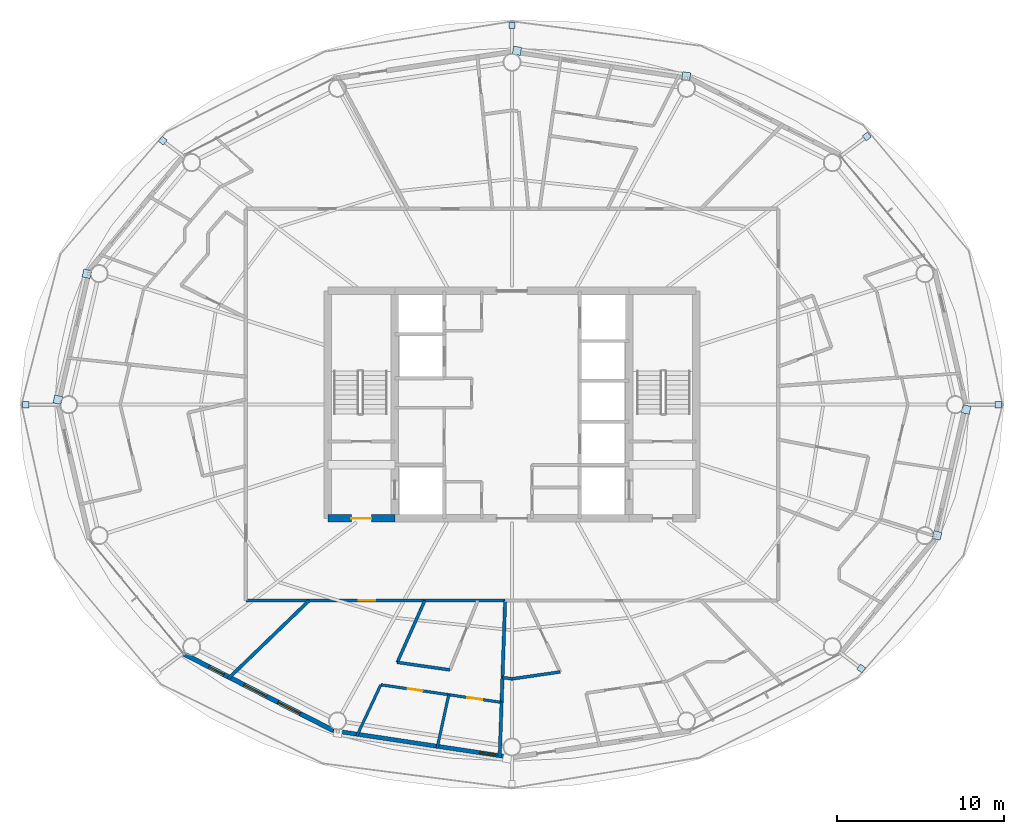
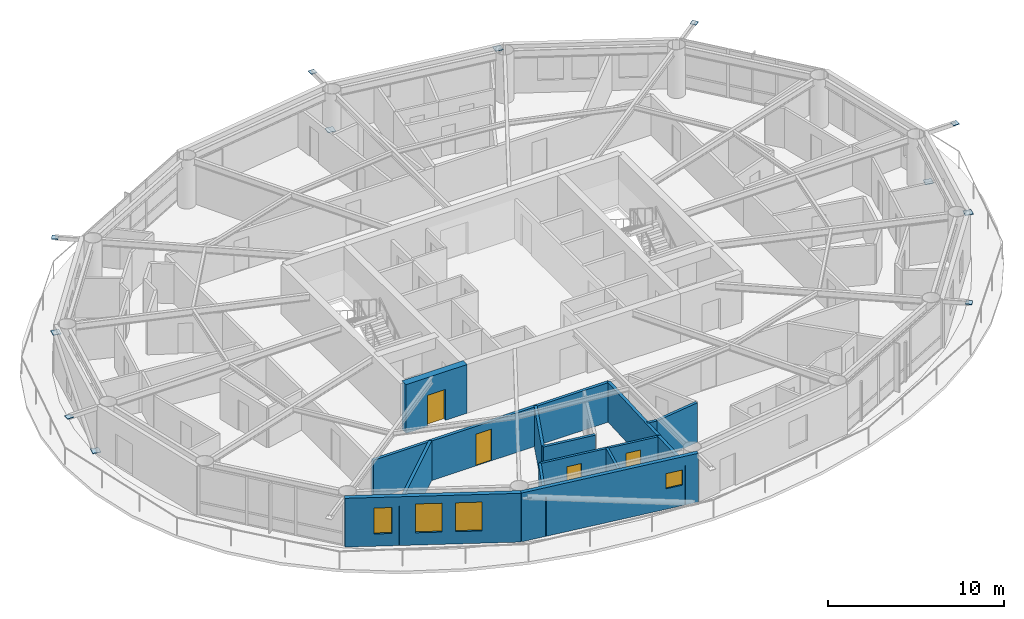
# One storey, part 19 of 27: 14 walls, 12 plates, 4 doors, 4 windows, 8 openings.
"""IFC4 building model written with IfcOpenShell, lengths in metres."""

from ifc_helpers import new_model, si_unit, direction, frame, frame_2d, origin, origin_2d, place, context, subcontext, project, spatial, rectangle, extrude, material, layer, layer_set, type_object, element, fill, save


model = new_model("IFC4")

# Units and contexts
model_context = context("Model", 3, precision=1e-05, world=origin(), true_north=direction((0.0, 1.0)))
body_context = subcontext(model_context, "Body", "Model", "MODEL_VIEW")
ifc_project = project(units=[si_unit("LENGTHUNIT", "METRE"), si_unit("AREAUNIT", "SQUARE_METRE"), si_unit("VOLUMEUNIT", "CUBIC_METRE"), si_unit("PLANEANGLEUNIT", "RADIAN"), si_unit("MASSUNIT", "GRAM", prefix="KILO")], contexts=[model_context])

# Site, building, storey
site_placement = place(None, origin())
site = spatial("IfcSite", under=ifc_project, at=site_placement, CompositionType="ELEMENT")
building_placement = place(site_placement, origin())
building = spatial("IfcBuilding", under=site, at=building_placement, Name="Sarneth Arch Tower", CompositionType="ELEMENT")
storey_placement = place(building_placement, frame((0.0, 0.0, 157.800048828125)))
storey = spatial("IfcBuildingStorey", under=building, at=storey_placement, Name="L39", CompositionType="ELEMENT", Elevation=157.800048828125)

# Plates
ifc_material_1 = material(Name="Steel S355", Category="steel")
ifc_layer_1 = layer(ifc_material_1, 0.035888671875)
ifc_layer_set_1 = layer_set([ifc_layer_1], Name="Steel S355")
plate_type = type_object("IfcPlateType", Name="PLT-GUSSET-30", PredefinedType="SHEET", material=ifc_layer_set_1)
for number, where, z_axis, x_axis, name in (
    (1, (77.038818359375, 42.0, 3.2021484375), (0.0, 0.0, 1.0), (1.0, 0.0, 0.0), "Steel end cap plate GP-1"),
    (2, (69.196533203125, 58.019287109375, 3.2021484375), (0.0, 0.0, 1.0), (0.797794439539, 0.602929541689, 0.0), "Steel end cap plate GP-1"),
):
    element("IfcPlate", number, at=place(storey_placement, frame(where, z_axis=z_axis, x_axis=x_axis)), inside=storey, type_object=plate_type, Name=name, PredefinedType="SHEET", context=body_context, shape_type="SweptSolid", body=[
        extrude(rectangle(XDim=0.3798828125, YDim=0.3798828125, at=origin_2d()), origin(), (0.0, 0.0, 1.0), 0.035888671875),
    ])
for number, where, z_axis, x_axis, name in (
    (3, (48.296630859375, 63.13525390625, 0.001953125), (0.0, 0.0, 1.0), (-0.98883454203, 0.149017611339, 0.0), "Steel end cap plate GP-1"),
    (4, (58.404296875, 61.612548828125, 3.03271484375), (0.0, 0.0, 1.0), (-0.98883454203, 0.149017611339, 0.0), "Steel end cap plate GP-1"),
):
    element("IfcPlate", number, at=place(storey_placement, frame(where, z_axis=z_axis, x_axis=x_axis)), inside=storey, type_object=plate_type, Name=name, PredefinedType="SHEET", context=body_context, shape_type="SweptSolid", body=[
        extrude(rectangle(XDim=0.486083984375, YDim=0.486083984375, at=origin_2d()), origin(), (0.0, 0.0, 1.0), 0.035888671875),
    ])
for number, where, z_axis, x_axis, name in (
    (5, (48.0, 64.648193359375, 3.2021484375), (0.0, 0.0, 1.0), (0.0, 1.0, 0.0), "Steel end cap plate GP-1"),
    (6, (27.1396484375, 57.765380859375, 3.2021484375), (0.0, 0.0, 1.0), (-0.797794439539, 0.602929541689, 0.0), "Steel end cap plate GP-1"),
):
    element("IfcPlate", number, at=place(storey_placement, frame(where, z_axis=z_axis, x_axis=x_axis)), inside=storey, type_object=plate_type, Name=name, PredefinedType="SHEET", context=body_context, shape_type="SweptSolid", body=[
        extrude(rectangle(XDim=0.3798828125, YDim=0.3798828125, at=origin_2d()), origin(), (0.0, 0.0, 1.0), 0.035888671875),
    ])
for number, where, z_axis, x_axis, name in (
    (7, (20.87109375, 42.292236328125, 0.001953125), (0.0, 0.0, 1.0), (-0.225291159947, -0.974291482694, 0.0), "Steel end cap plate GP-1"),
    (8, (22.609619140625, 49.81298828125, 3.03271484375), (0.0, 0.0, 1.0), (-0.225291159947, -0.974291482694, 0.0), "Steel end cap plate GP-1"),
):
    element("IfcPlate", number, at=place(storey_placement, frame(where, z_axis=z_axis, x_axis=x_axis)), inside=storey, type_object=plate_type, Name=name, PredefinedType="SHEET", context=body_context, shape_type="SweptSolid", body=[
        extrude(rectangle(XDim=0.486083984375, YDim=0.486083984375, at=origin_2d()), origin(), (0.0, 0.0, 1.0), 0.035888671875),
    ])
for number, where, z_axis, x_axis, name in (
    (9, (18.961181640625, 42.0, 3.2021484375), (0.0, 0.0, 1.0), (-1.0, 0.0, 0.0), "Steel end cap plate GP-1"),
    (10, (68.8603515625, 26.234619140625, 3.2021484375), (0.0, 0.0, 1.0), (0.797794439539, -0.602929541689, 0.0), "Steel end cap plate GP-1"),
):
    element("IfcPlate", number, at=place(storey_placement, frame(where, z_axis=z_axis, x_axis=x_axis)), inside=storey, type_object=plate_type, Name=name, PredefinedType="SHEET", context=body_context, shape_type="SweptSolid", body=[
        extrude(rectangle(XDim=0.3798828125, YDim=0.3798828125, at=origin_2d()), origin(), (0.0, 0.0, 1.0), 0.035888671875),
    ])
for number, where, z_axis, x_axis, name in (
    (11, (75.12890625, 41.707763671875, 0.001953125), (0.0, 0.0, 1.0), (0.225291159947, 0.974291482694, 0.0), "Steel end cap plate GP-1"),
    (12, (73.390380859375, 34.18701171875, 3.03271484375), (0.0, 0.0, 1.0), (0.225291159947, 0.974291482694, 0.0), "Steel end cap plate GP-1"),
):
    element("IfcPlate", number, at=place(storey_placement, frame(where, z_axis=z_axis, x_axis=x_axis)), inside=storey, type_object=plate_type, Name=name, PredefinedType="SHEET", context=body_context, shape_type="SweptSolid", body=[
        extrude(rectangle(XDim=0.486083984375, YDim=0.486083984375, at=origin_2d()), origin(), (0.0, 0.0, 1.0), 0.035888671875),
    ])

# Wall, opening, door
ifc_material_2 = material(Name="Concrete C50/60", Category="concrete")
ifc_layer_2 = layer(ifc_material_2, 0.449951171875)
ifc_layer_set_2 = layer_set([ifc_layer_2], Name="Concrete C50/60")
wall_type_1 = type_object("IfcWallType", Name="WALL-CORE-450", PredefinedType="SHEAR", material=ifc_layer_set_2)
wall_1_placement = place(storey_placement, frame((37.0, 35.199951171875, 0.0), z_axis=(0.0, 0.0, 1.0), x_axis=(1.0, 0.0, 0.0)))
wall_1 = element("IfcWall", 13, at=wall_1_placement, inside=storey, type_object=wall_type_1, Name="L39 Core shear wall S-W", PredefinedType="SHEAR", context=body_context, shape_type="SweptSolid", body=[
    extrude(rectangle(XDim=4.0, YDim=0.449951171875, at=frame_2d((2.0, 0.0))), origin(), (0.0, 0.0, 1.0), 3.3798828125),
])
opening_1_placement = place(wall_1_placement, frame((1.39990234375, 0.0, 0.0)))
opening_1 = element("IfcOpeningElement", 14, at=opening_1_placement, cuts=wall_1, Name="Opening FD-02", PredefinedType="OPENING", context=body_context, shape_type="SweptSolid", body=[
    extrude(rectangle(XDim=1.199951171875, YDim=2.14990234375, at=frame_2d((0.60009765625, 1.074951171875))), frame((0.0, 0.23486328125, 0.0), z_axis=(0.0, -1.0, 0.0), x_axis=(1.0, 0.0, 0.0)), (0.0, 0.0, 1.0), 0.469970703125),
])
ifc_material_3 = material(Name="Galvanised Steel S275 fire door set", Category="steel")
door_type_1 = type_object("IfcDoorType", Name="DR-FD90-1200", OperationType="SINGLE_SWING_LEFT", PredefinedType="DOOR", material=ifc_material_3)
door_1_placement = place(opening_1_placement, origin())
door_1 = element("IfcDoor", 15, at=door_1_placement, inside=storey, type_object=door_type_1, Name="L39 Firefighting lobby 1 exit door", OperationType="SINGLE_SWING_LEFT", OverallHeight=2.14990234375, OverallWidth=1.199951171875, PredefinedType="DOOR", context=body_context, shape_type="SweptSolid", body=[
    extrude(rectangle(XDim=1.199951171875, YDim=2.14990234375, at=frame_2d((0.60009765625, 1.074951171875))), frame((0.0, 0.02490234375, 0.0), z_axis=(0.0, -1.0, 0.0), x_axis=(1.0, 0.0, 0.0)), (0.0, 0.0, 1.0), 0.050048828125),
])
fill(opening_1, door_1)

ifc_material_4 = material(Name="Double steel-stud corridor fire wall", Category="steel")
ifc_layer_3 = layer(ifc_material_4, 0.18994140625)
ifc_layer_set_3 = layer_set([ifc_layer_3], Name="Double steel-stud corridor fire wall")
wall_type_2 = type_object("IfcWallType", Name="WALL-CORR-190", PredefinedType="PARTITIONING", material=ifc_layer_set_3)
wall_2_placement = place(storey_placement, frame((32.10009765625, 30.300048828125, 0.0), z_axis=(0.0, 0.0, 1.0), x_axis=(1.0, 0.0, 0.0)))
wall_2 = element("IfcWall", 16, at=wall_2_placement, inside=storey, type_object=wall_type_2, Name="L39 Interior partition W-L39-TP-018", PredefinedType="PARTITIONING", context=body_context, shape_type="SweptSolid", body=[
    extrude(rectangle(XDim=15.4912109375, YDim=0.18994140625, at=frame_2d((7.74560546875, 0.0))), origin(), (0.0, 0.0, 1.0), 2.739990234375),
])
opening_2_placement = place(wall_2_placement, frame((6.737548828125, 0.0, 0.0)))
opening_2 = element("IfcOpeningElement", 17, at=opening_2_placement, cuts=wall_2, Name="Opening FD-08", PredefinedType="OPENING", context=body_context, shape_type="SweptSolid", body=[
    extrude(rectangle(XDim=1.0, YDim=2.199951171875, at=frame_2d((0.5, 1.10009765625))), frame((0.0, 0.10498046875, 0.0), z_axis=(0.0, -1.0, 0.0), x_axis=(1.0, 0.0, 0.0)), (0.0, 0.0, 1.0), 0.2099609375),
])
ifc_material_5 = material(Name="Hardwood timber acoustic fire door", Category="wood")
door_type_2 = type_object("IfcDoorType", Name="DR-FD60-1000", OperationType="SINGLE_SWING_LEFT", PredefinedType="DOOR", material=ifc_material_5)
door_2_placement = place(opening_2_placement, origin())
door_2 = element("IfcDoor", 18, at=door_2_placement, inside=storey, type_object=door_type_2, Name="L39 Interior door DR-L39-U6-ENT", OperationType="SINGLE_SWING_RIGHT", OverallHeight=2.199951171875, OverallWidth=1.0, PredefinedType="DOOR", context=body_context, shape_type="SweptSolid", body=[
    extrude(rectangle(XDim=1.0, YDim=2.199951171875, at=frame_2d((0.5, 1.10009765625))), frame((0.0, 0.02490234375, 0.0), z_axis=(0.0, -1.0, 0.0), x_axis=(1.0, 0.0, 0.0)), (0.0, 0.0, 1.0), 0.050048828125),
])
fill(opening_2, door_2)

# Wall, opening, window
ifc_material_6 = material(Name="Extruded terracotta rainscreen on Concrete C40/50 backing", Category="masonry")
ifc_layer_4 = layer(ifc_material_6, 0.25)
ifc_layer_set_4 = layer_set([ifc_layer_4], Name="Extruded terracotta rainscreen on Concrete C40/50 backing")
wall_type_3 = type_object("IfcWallType", Name="WALL-EXT-SPAND-250", PredefinedType="SOLIDWALL", material=ifc_layer_set_4)
wall_3_placement = place(storey_placement, frame((37.337158203125, 22.524658203125, 0.0), z_axis=(0.0, 0.0, 1.0), x_axis=(0.988863993413, -0.148822049884, 0.0)))
wall_3 = element("IfcWall", 19, at=wall_3_placement, inside=storey, type_object=wall_type_3, Name="L39 Terracotta perimeter wall 12", PredefinedType="SOLIDWALL", context=body_context, shape_type="SweptSolid", body=[
    extrude(rectangle(XDim=10.782958984375, YDim=0.25, at=frame_2d((5.3916015625, 0.0))), origin(), (0.0, 0.0, 1.0), 3.3798828125),
])
opening_3_placement = place(wall_3_placement, frame((8.809326171875, 0.0, 1.419921875)))
opening_3 = element("IfcOpeningElement", 20, at=opening_3_placement, cuts=wall_3, Name="Opening W-14", PredefinedType="OPENING", context=body_context, shape_type="SweptSolid", body=[
    extrude(rectangle(XDim=1.0, YDim=1.050048828125, at=frame_2d((0.5, 0.52490234375))), frame((0.0, 0.135009765625, 0.0), z_axis=(0.0, -1.0, 0.0), x_axis=(1.0, 0.0, 0.0)), (0.0, 0.0, 1.0), 0.27001953125),
])
ifc_material_7 = material(Name="Thermally broken Aluminium 6063-T6 and low-e laminated IGU", Category="aluminium")
window_type_1 = type_object("IfcWindowType", Name="WIN-TWR-1000x1050", PartitioningType="SINGLE_PANEL", PredefinedType="WINDOW", material=ifc_material_7)
window_1_placement = place(opening_3_placement, origin())
window_1 = element("IfcWindow", 21, at=window_1_placement, inside=storey, type_object=window_type_1, Name="L39 Dwelling bedroom window 03", OverallHeight=1.050048828125, OverallWidth=1.0, PartitioningType="SINGLE_PANEL", PredefinedType="WINDOW", context=body_context, shape_type="SweptSolid", body=[
    extrude(rectangle(XDim=1.0, YDim=1.050048828125, at=frame_2d((0.5, 0.52490234375))), frame((0.0, 0.030029296875, 0.0), z_axis=(0.0, -1.0, 0.0), x_axis=(1.0, 0.0, 0.0)), (0.0, 0.0, 1.0), 0.06005859375),
])
fill(opening_3, window_1)

# Wall, openings, windows
ifc_material_8 = material(Name="Extruded terracotta rainscreen on Concrete C40/50 backing", Category="masonry")
ifc_layer_5 = layer(ifc_material_8, 0.280029296875)
ifc_layer_set_5 = layer_set([ifc_layer_5], Name="Extruded terracotta rainscreen on Concrete C40/50 backing")
wall_type_4 = type_object("IfcWallType", Name="WALL-EXT-TERRA-280", PredefinedType="SOLIDWALL", material=ifc_layer_set_5)
wall_4_placement = place(storey_placement, frame((28.423828125, 27.09423828125, 0.0), z_axis=(0.0, 0.0, 1.0), x_axis=(0.889872523182, -0.456209263919, 0.0)))
wall_4 = element("IfcWall", 22, at=wall_4_placement, inside=storey, type_object=wall_type_4, Name="L39 Terracotta perimeter wall 11", PredefinedType="SOLIDWALL", context=body_context, shape_type="SweptSolid", body=[
    extrude(rectangle(XDim=10.016357421875, YDim=0.280029296875, at=frame_2d((5.00830078125, 0.0))), origin(), (0.0, 0.0, 1.0), 3.3798828125),
])
opening_4_placement = place(wall_4_placement, frame((1.67041015625, 0.0, 0.85009765625)))
opening_4 = element("IfcOpeningElement", 23, at=opening_4_placement, cuts=wall_4, Name="Opening W-11", PredefinedType="OPENING", context=body_context, shape_type="SweptSolid", body=[
    extrude(rectangle(XDim=1.0, YDim=1.800048828125, at=frame_2d((0.5, 0.89990234375))), frame((0.0, 0.14990234375, 0.0), z_axis=(0.0, -1.0, 0.0), x_axis=(1.0, 0.0, 0.0)), (0.0, 0.0, 1.0), 0.300048828125),
])
opening_5_placement = place(wall_4_placement, frame((4.022216796875, 0.0, 0.85009765625)))
opening_5 = element("IfcOpeningElement", 24, at=opening_5_placement, cuts=wall_4, Name="Opening W-06", PredefinedType="OPENING", context=body_context, shape_type="SweptSolid", body=[
    extrude(rectangle(XDim=1.5, YDim=2.0, at=frame_2d((0.75, 1.0))), frame((0.0, 0.14990234375, 0.0), z_axis=(0.0, -1.0, 0.0), x_axis=(1.0, 0.0, 0.0)), (0.0, 0.0, 1.0), 0.300048828125),
])
opening_6_placement = place(wall_4_placement, frame((6.293701171875, 0.0, 0.85009765625)))
opening_6 = element("IfcOpeningElement", 25, at=opening_6_placement, cuts=wall_4, Name="Opening W-06", PredefinedType="OPENING", context=body_context, shape_type="SweptSolid", body=[
    extrude(rectangle(XDim=1.5, YDim=2.0, at=frame_2d((0.75, 1.0))), frame((0.0, 0.14990234375, 0.0), z_axis=(0.0, -1.0, 0.0), x_axis=(1.0, 0.0, 0.0)), (0.0, 0.0, 1.0), 0.300048828125),
])
ifc_material_9 = material(Name="Thermally broken Aluminium 6063-T6 and low-e laminated IGU", Category="aluminium")
window_type_2 = type_object("IfcWindowType", Name="WIN-TWR-1000x1800", PartitioningType="SINGLE_PANEL", PredefinedType="WINDOW", material=ifc_material_9)
window_2_placement = place(opening_4_placement, origin())
window_2 = element("IfcWindow", 26, at=window_2_placement, inside=storey, type_object=window_type_2, Name="L39 Exterior window 11A", OverallHeight=1.800048828125, OverallWidth=1.0, PartitioningType="SINGLE_PANEL", PredefinedType="WINDOW", context=body_context, shape_type="SweptSolid", body=[
    extrude(rectangle(XDim=1.0, YDim=1.800048828125, at=frame_2d((0.5, 0.89990234375))), frame((0.0, 0.030029296875, 0.0), z_axis=(0.0, -1.0, 0.0), x_axis=(1.0, 0.0, 0.0)), (0.0, 0.0, 1.0), 0.06005859375),
])
fill(opening_4, window_2)
ifc_material_10 = material(Name="Thermally broken Aluminium 6063-T6 and low-e laminated IGU", Category="aluminium")
window_type_3 = type_object("IfcWindowType", Name="WIN-TWR-1500x2000", PartitioningType="SINGLE_PANEL", PredefinedType="WINDOW", material=ifc_material_10)
window_3_placement = place(opening_5_placement, origin())
window_3 = element("IfcWindow", 27, at=window_3_placement, inside=storey, type_object=window_type_3, Name="L39 Exterior window 11B", OverallHeight=2.0, OverallWidth=1.5, PartitioningType="SINGLE_PANEL", PredefinedType="WINDOW", context=body_context, shape_type="SweptSolid", body=[
    extrude(rectangle(XDim=1.5, YDim=2.0, at=frame_2d((0.75, 1.0))), frame((0.0, 0.030029296875, 0.0), z_axis=(0.0, -1.0, 0.0), x_axis=(1.0, 0.0, 0.0)), (0.0, 0.0, 1.0), 0.06005859375),
])
fill(opening_5, window_3)
window_4_placement = place(opening_6_placement, origin())
window_4 = element("IfcWindow", 28, at=window_4_placement, inside=storey, type_object=window_type_3, Name="L39 Exterior window 11C", OverallHeight=2.0, OverallWidth=1.5, PartitioningType="SINGLE_PANEL", PredefinedType="WINDOW", context=body_context, shape_type="SweptSolid", body=[
    extrude(rectangle(XDim=1.5, YDim=2.0, at=frame_2d((0.75, 1.0))), frame((0.0, 0.030029296875, 0.0), z_axis=(0.0, -1.0, 0.0), x_axis=(1.0, 0.0, 0.0)), (0.0, 0.0, 1.0), 0.06005859375),
])
fill(opening_6, window_4)

# Wall, openings, doors
ifc_material_11 = material(Name="Kitchen wet service chase wall", Category="gypsum")
ifc_layer_6 = layer(ifc_material_11, 0.159912109375)
ifc_layer_set_6 = layer_set([ifc_layer_6], Name="Kitchen wet service chase wall")
wall_type_5 = type_object("IfcWallType", Name="WALL-PLUMB-160", PredefinedType="PLUMBINGWALL", material=ifc_layer_set_6)
wall_5_placement = place(storey_placement, frame((47.37890625, 24.2109375, 0.0), z_axis=(0.0, 0.0, 1.0), x_axis=(-0.989473930598, 0.144711231999, 0.0)))
wall_5 = element("IfcWall", 29, at=wall_5_placement, inside=storey, type_object=wall_type_5, Name="L39 Interior partition W-L39-TP-077", PredefinedType="PLUMBINGWALL", context=body_context, shape_type="SweptSolid", body=[
    extrude(rectangle(XDim=7.29150390625, YDim=0.159912109375, at=frame_2d((3.645751953125, 0.0))), origin(), (0.0, 0.0, 1.0), 2.739990234375),
])
opening_7_placement = place(wall_5_placement, frame((4.7744140625, 0.0, 0.0)))
opening_7 = element("IfcOpeningElement", 30, at=opening_7_placement, cuts=wall_5, Name="Opening ID-01", PredefinedType="OPENING", context=body_context, shape_type="SweptSolid", body=[
    extrude(rectangle(XDim=0.89990234375, YDim=2.10009765625, at=frame_2d((0.449951171875, 1.050048828125))), frame((0.0, 0.08984375, 0.0), z_axis=(0.0, -1.0, 0.0), x_axis=(1.0, 0.0, 0.0)), (0.0, 0.0, 1.0), 0.179931640625),
])
opening_8_placement = place(wall_5_placement, frame((1.160888671875, 0.0, 0.0)))
opening_8 = element("IfcOpeningElement", 31, at=opening_8_placement, cuts=wall_5, Name="Opening ID-01", PredefinedType="OPENING", context=body_context, shape_type="SweptSolid", body=[
    extrude(rectangle(XDim=0.89990234375, YDim=2.10009765625, at=frame_2d((0.449951171875, 1.050048828125))), frame((0.0, 0.08984375, 0.0), z_axis=(0.0, -1.0, 0.0), x_axis=(1.0, 0.0, 0.0)), (0.0, 0.0, 1.0), 0.179931640625),
])
ifc_material_12 = material(Name="Engineered hardwood flush door", Category="wood")
door_type_3 = type_object("IfcDoorType", Name="DR-INT-900", OperationType="SINGLE_SWING_LEFT", PredefinedType="DOOR", material=ifc_material_12)
door_3_placement = place(opening_7_placement, origin())
door_3 = element("IfcDoor", 32, at=door_3_placement, inside=storey, type_object=door_type_3, Name="L39 Interior door DR-L39-U6-KIT", OperationType="SINGLE_SWING_LEFT", OverallHeight=2.10009765625, OverallWidth=0.89990234375, PredefinedType="DOOR", context=body_context, shape_type="SweptSolid", body=[
    extrude(rectangle(XDim=0.89990234375, YDim=2.10009765625, at=frame_2d((0.449951171875, 1.050048828125))), frame((0.0, 0.02490234375, 0.0), z_axis=(0.0, -1.0, 0.0), x_axis=(1.0, 0.0, 0.0)), (0.0, 0.0, 1.0), 0.050048828125),
])
fill(opening_7, door_3)
door_4_placement = place(opening_8_placement, origin())
door_4 = element("IfcDoor", 33, at=door_4_placement, inside=storey, type_object=door_type_3, Name="L39 Interior door DR-L39-U6-BED1", OperationType="SINGLE_SWING_RIGHT", OverallHeight=2.10009765625, OverallWidth=0.89990234375, PredefinedType="DOOR", context=body_context, shape_type="SweptSolid", body=[
    extrude(rectangle(XDim=0.89990234375, YDim=2.10009765625, at=frame_2d((0.449951171875, 1.050048828125))), frame((0.0, 0.02490234375, 0.0), z_axis=(0.0, -1.0, 0.0), x_axis=(1.0, 0.0, 0.0)), (0.0, 0.0, 1.0), 0.050048828125),
])
fill(opening_8, door_4)

# Walls
wall_6_placement = place(storey_placement, frame((40.1640625, 25.26611328125, 0.0), z_axis=(0.0, 0.0, 1.0), x_axis=(-0.4240847822, -0.905622491718, 0.0)))
element("IfcWall", 34, at=wall_6_placement, inside=storey, type_object=wall_type_5, Name="L39 Interior partition W-L39-TP-078", PredefinedType="PLUMBINGWALL", context=body_context, shape_type="SweptSolid", body=[
    extrude(rectangle(XDim=3.38671875, YDim=0.159912109375, at=frame_2d((1.693359375, 0.0))), origin(), (0.0, 0.0, 1.0), 2.739990234375),
])
wall_7_placement = place(storey_placement, frame((44.22265625, 24.672607421875, 0.0), z_axis=(0.0, 0.0, 1.0), x_axis=(-0.213029945557, -0.977045670527, 0.0)))
element("IfcWall", 35, at=wall_7_placement, inside=storey, type_object=wall_type_5, Name="L39 Interior partition W-L39-TP-085", PredefinedType="PLUMBINGWALL", context=body_context, shape_type="SweptSolid", body=[
    extrude(rectangle(XDim=3.275390625, YDim=0.159912109375, at=frame_2d((1.6376953125, 0.0))), origin(), (0.0, 0.0, 1.0), 2.739990234375),
])
ifc_material_13 = material(Name="Moisture-resistant plumbing chase wall", Category="gypsum")
ifc_layer_7 = layer(ifc_material_13, 0.179931640625)
ifc_layer_set_7 = layer_set([ifc_layer_7], Name="Moisture-resistant plumbing chase wall")
wall_type_6 = type_object("IfcWallType", Name="WALL-PLUMB-180", PredefinedType="PLUMBINGWALL", material=ifc_layer_set_7)
wall_8_placement = place(storey_placement, frame((42.790771484375, 30.300048828125, 0.0), z_axis=(0.0, 0.0, 1.0), x_axis=(-0.406732062562, -0.913547497005, 0.0)))
element("IfcWall", 36, at=wall_8_placement, inside=storey, type_object=wall_type_6, Name="L39 Interior partition W-L39-TP-079", PredefinedType="PLUMBINGWALL", context=body_context, shape_type="SweptSolid", body=[
    extrude(rectangle(XDim=4.04443359375, YDim=0.179931640625, at=frame_2d((2.022216796875, 0.0))), origin(), (0.0, 0.0, 1.0), 2.739990234375),
])
wall_9_placement = place(storey_placement, frame((41.145751953125, 26.605224609375, 0.0), z_axis=(0.0, 0.0, 1.0), x_axis=(0.989829176861, -0.142261029925, 0.0)))
element("IfcWall", 37, at=wall_9_placement, inside=storey, type_object=wall_type_6, Name="L39 Interior partition W-L39-TP-080", PredefinedType="PLUMBINGWALL", context=body_context, shape_type="SweptSolid", body=[
    extrude(rectangle(XDim=3.1748046875, YDim=0.179931640625, at=frame_2d((1.58740234375, 0.0))), origin(), (0.0, 0.0, 1.0), 2.739990234375),
])
wall_10_placement = place(storey_placement, frame((50.876708984375, 26.033447265625, 0.0), z_axis=(0.0, 0.0, 1.0), x_axis=(-0.989834923367, -0.142221040929, 0.0)))
element("IfcWall", 38, at=wall_10_placement, inside=storey, type_object=wall_type_6, Name="L39 Interior partition W-L39-TP-090", PredefinedType="PLUMBINGWALL", context=body_context, shape_type="SweptSolid", body=[
    extrude(rectangle(XDim=2.90625, YDim=0.179931640625, at=frame_2d((1.453125, 0.0))), origin(), (0.0, 0.0, 1.0), 2.739990234375),
])
wall_11_placement = place(storey_placement, frame((48.0, 25.6201171875, 0.0), z_axis=(0.0, 0.0, 1.0), x_axis=(-0.989830245264, 0.142253595952, 0.0)))
element("IfcWall", 39, at=wall_11_placement, inside=storey, type_object=wall_type_6, Name="L39 Interior partition W-L39-TP-091", PredefinedType="PLUMBINGWALL", context=body_context, shape_type="SweptSolid", body=[
    extrude(rectangle(XDim=0.574951171875, YDim=0.179931640625, at=frame_2d((0.28759765625, 0.0))), origin(), (0.0, 0.0, 1.0), 2.739990234375),
])
ifc_material_14 = material(Name="Double steel-stud acoustic drywall", Category="steel")
ifc_layer_8 = layer(ifc_material_14, 0.199951171875)
ifc_layer_set_8 = layer_set([ifc_layer_8], Name="Double steel-stud acoustic drywall")
wall_type_7 = type_object("IfcWallType", Name="WALL-UNIT-200", PredefinedType="PARTITIONING", material=ifc_layer_set_8)
wall_12_placement = place(storey_placement, frame((31.042236328125, 25.6240234375, 0.0), z_axis=(0.0, 0.0, 1.0), x_axis=(0.719330837604, 0.694667651522, 0.0)))
element("IfcWall", 40, at=wall_12_placement, inside=storey, type_object=wall_type_7, Name="L39 Interior partition W-L39-TP-076", PredefinedType="PARTITIONING", context=body_context, shape_type="SweptSolid", body=[
    extrude(rectangle(XDim=6.731201171875, YDim=0.199951171875, at=frame_2d((3.36572265625, 0.0))), origin(), (0.0, 0.0, 1.0), 2.739990234375),
])
wall_13_placement = place(storey_placement, frame((47.59130859375, 30.300048828125, 0.0), z_axis=(0.0, 0.0, 1.0), x_axis=(-0.034861119634, -0.999392166438, 0.0)))
element("IfcWall", 41, at=wall_13_placement, inside=storey, type_object=wall_type_7, Name="L39 Interior partition W-L39-TP-084", PredefinedType="PARTITIONING", context=body_context, shape_type="SweptSolid", body=[
    extrude(rectangle(XDim=6.0927734375, YDim=0.199951171875, at=frame_2d((3.04638671875, 0.0))), origin(), (0.0, 0.0, 1.0), 2.739990234375),
])
wall_14_placement = place(storey_placement, frame((47.263427734375, 20.910400390625, 0.0), z_axis=(0.0, 0.0, 1.0), x_axis=(0.034921182562, 0.999390069497, 0.0)))
element("IfcWall", 42, at=wall_14_placement, inside=storey, type_object=wall_type_7, Name="L39 Interior partition W-L39-TP-086", PredefinedType="PARTITIONING", context=body_context, shape_type="SweptSolid", body=[
    extrude(rectangle(XDim=3.334716796875, YDim=0.199951171875, at=frame_2d((1.66748046875, 0.0))), origin(), (0.0, 0.0, 1.0), 2.739990234375),
])

save(model, "model.ifc")
